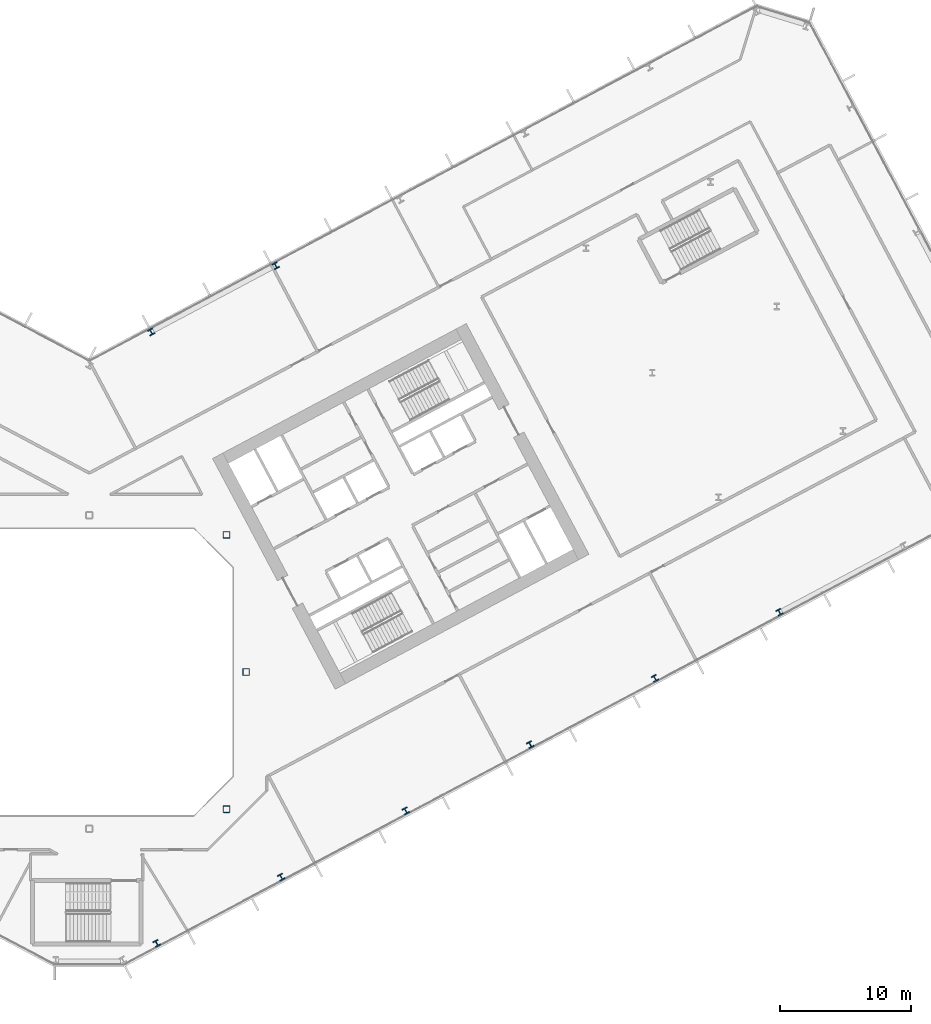
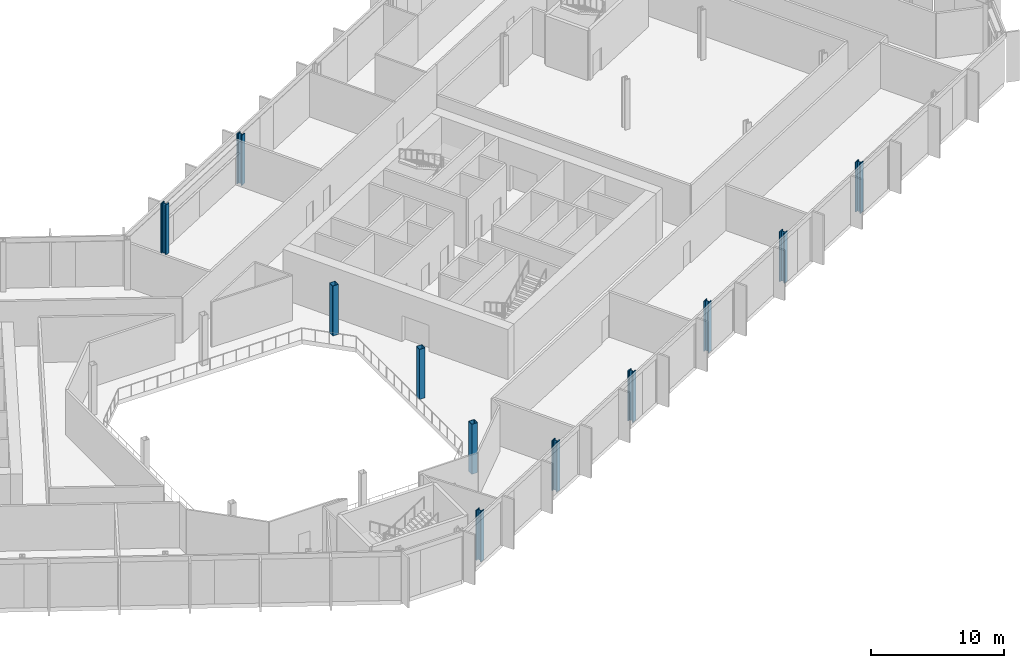
# One storey, part 3 of 31: 11 columns.
"""IFC4 building model written with IfcOpenShell, lengths in metres."""

from ifc_helpers import new_model, si_unit, direction, frame, origin, origin_2d, place, context, subcontext, project, spatial, hollow_rectangle, i_section, extrude, material, material_profile, profile_set, type_object, element, save


model = new_model("IFC4")

# Units and contexts
model_context = context("Model", 3, precision=1e-05, world=origin(), true_north=direction((0.0, 1.0)))
body_context = subcontext(model_context, "Body", "Model", "MODEL_VIEW")
ifc_project = project(units=[si_unit("LENGTHUNIT", "METRE"), si_unit("AREAUNIT", "SQUARE_METRE"), si_unit("VOLUMEUNIT", "CUBIC_METRE"), si_unit("PLANEANGLEUNIT", "RADIAN"), si_unit("MASSUNIT", "GRAM", prefix="KILO")], contexts=[model_context])

# Site, building, storey
site_placement = place(None, origin())
site = spatial("IfcSite", under=ifc_project, at=site_placement, CompositionType="ELEMENT")
building_placement = place(site_placement, origin())
building = spatial("IfcBuilding", under=site, at=building_placement, Name="Cormorant Relay Tower", CompositionType="ELEMENT")
storey_placement = place(building_placement, frame((0.0, 0.0, 107.60009765625)))
storey = spatial("IfcBuildingStorey", under=building, at=storey_placement, Name="L21", CompositionType="ELEMENT", Elevation=107.60009765625)

# Columns
ifc_material_1 = material(Name="Steel ASTM A500 Grade C (Fy 345 MPa)", Category="steel")
ifc_material_profile_1 = material_profile(ifc_material_1, hollow_rectangle(XDim=0.508056640625, YDim=0.508056640625, WallThickness=0.020751953125, InnerFilletRadius=0.01025390625, OuterFilletRadius=0.031005859375, at=origin_2d()), Name="HSS508x508x21")
ifc_profile_set_1 = profile_set([ifc_material_profile_1], Name="Steel ASTM A500 Grade C (Fy 345 MPa)")
column_type_1 = type_object("IfcColumnType", Name="Column HSS508x508x21", PredefinedType="COLUMN", material=ifc_profile_set_1)
for number, where, z_axis, x_axis, name in (
    (1, (10.5, -10.5, 0.0), (0.0, 0.0, 1.0), (1.0, 0.0, 0.0), "Column L21-010"),
    (2, (12.0, 0.0, 0.0), (0.0, 0.0, 1.0), (1.0, 0.0, 0.0), "Column L21-016"),
    (3, (10.5, 10.5, 0.0), (0.0, 0.0, 1.0), (1.0, 0.0, 0.0), "Column L21-023"),
):
    element("IfcColumn", number, at=place(storey_placement, frame(where, z_axis=z_axis, x_axis=x_axis)), inside=storey, type_object=column_type_1, Name=name, PredefinedType="COLUMN", context=body_context, shape_type="SweptSolid", body=[
        extrude(hollow_rectangle(XDim=0.508056640625, YDim=0.508056640625, WallThickness=0.020751953125, InnerFilletRadius=0.01025390625, OuterFilletRadius=0.031005859375, at=origin_2d()), origin(), (0.0, 0.0, 1.0), 4.599853515625),
    ])
ifc_material_2 = material(Name="Steel ASTM A992 (Fy 345 MPa)", Category="steel")
ifc_material_profile_2 = material_profile(ifc_material_2, i_section(OverallWidth=0.42431640625, OverallDepth=0.47509765625, WebThickness=0.0478515625, FlangeThickness=0.0771484375, FilletRadius=0.014892578125, at=origin_2d()), Name="W360x634")
ifc_profile_set_2 = profile_set([ifc_material_profile_2], Name="Steel ASTM A992 (Fy 345 MPa)")
column_type_2 = type_object("IfcColumnType", Name="Column W360x634", PredefinedType="COLUMN", material=ifc_profile_set_2)
for number, where, z_axis, x_axis, name in (
    (4, (5.155029296875, -20.77099609375, 0.0), (0.0, 0.0, 1.0), (0.882947592859, 0.469471562786, 0.0), "Column L21-003"),
    (5, (14.69091796875, -15.700927734375, 0.0), (0.0, 0.0, 1.0), (0.882947592859, 0.469471562786, 0.0), "Column L21-005"),
    (6, (24.22705078125, -10.631103515625, 0.0), (0.0, 0.0, 1.0), (0.882947592859, 0.469471562786, 0.0), "Column L21-008"),
    (7, (33.761962890625, -5.56005859375, 0.0), (0.0, 0.0, 1.0), (0.882947592859, 0.469471562786, 0.0), "Column L21-012"),
    (8, (43.298095703125, -0.489990234375, 0.0), (0.0, 0.0, 1.0), (0.882947592859, 0.469471562786, 0.0), "Column L21-014"),
    (9, (52.833984375, 4.580078125, 0.0), (0.0, 0.0, 1.0), (0.882947592859, 0.469471562786, 0.0), "Column L21-019"),
    (10, (4.73388671875, 26.029052734375, 0.0), (0.0, 0.0, 1.0), (-0.882947592859, -0.469471562786, 0.0), "Column L21-035"),
    (11, (14.27001953125, 31.10009765625, 0.0), (0.0, 0.0, 1.0), (-0.882947592859, -0.469471562786, 0.0), "Column L21-039"),
):
    element("IfcColumn", number, at=place(storey_placement, frame(where, z_axis=z_axis, x_axis=x_axis)), inside=storey, type_object=column_type_2, Name=name, PredefinedType="COLUMN", context=body_context, shape_type="SweptSolid", body=[
        extrude(i_section(OverallWidth=0.42431640625, OverallDepth=0.47509765625, WebThickness=0.0478515625, FlangeThickness=0.0771484375, FilletRadius=0.014892578125, at=origin_2d()), origin(), (0.0, 0.0, 1.0), 4.599853515625),
    ])

save(model, "model.ifc")
